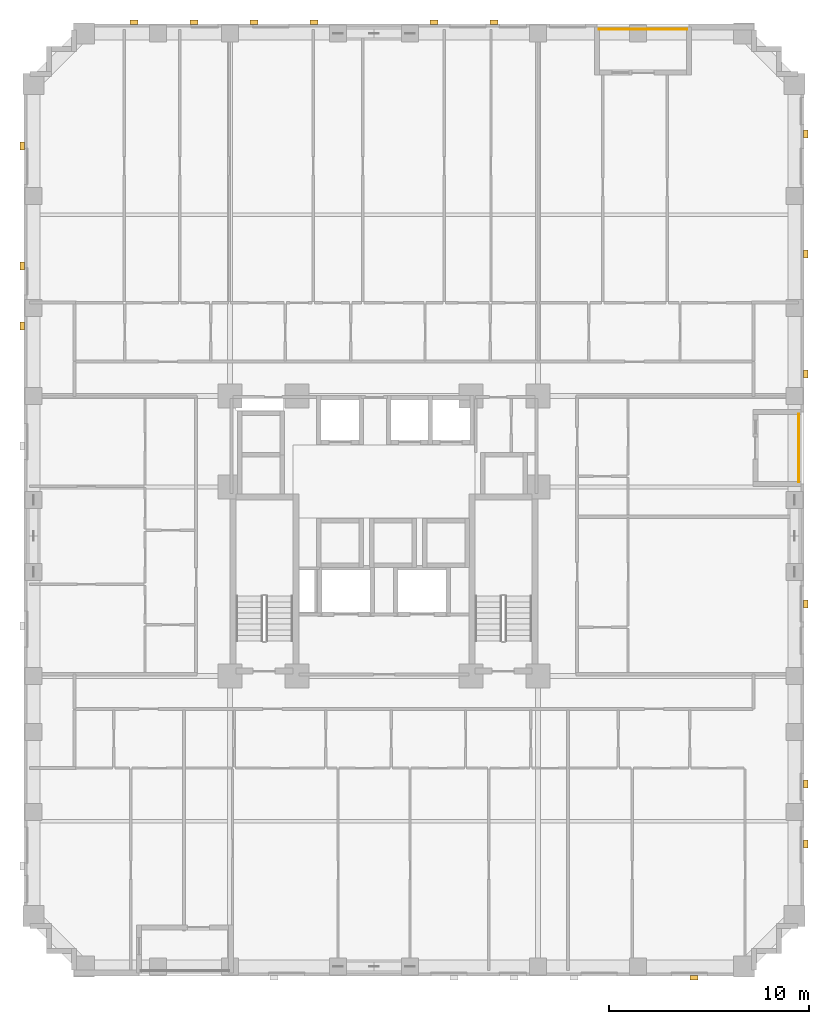
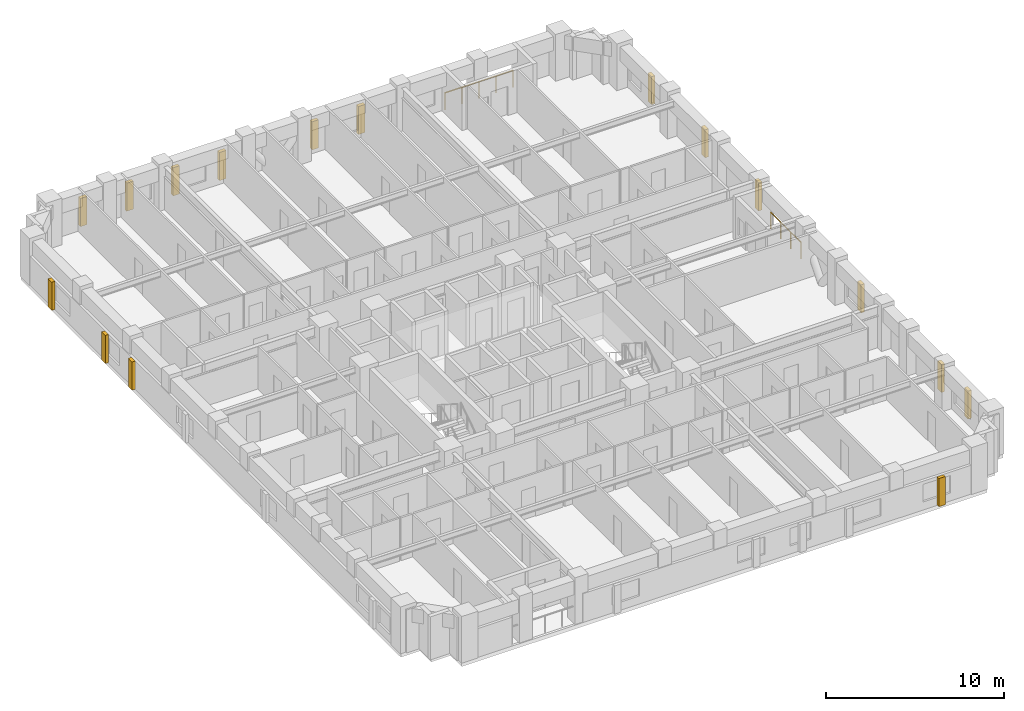
# One storey, part 14 of 14: 16 coverings, 2 railings.
"""IFC4 building model written with IfcOpenShell, lengths in metres."""

from ifc_helpers import new_model, si_unit, derived_unit, direction, frame, origin, origin_2d, place, context, subcontext, project, spatial, rectangle, circle, extrude, material, layer, layer_set, type_object, element, save


model = new_model("IFC4")

# Units and contexts
model_context = context("Model", 3, precision=1e-05, world=origin(), true_north=direction((0.0, 1.0)))
body_context = subcontext(model_context, "Body", "Model", "MODEL_VIEW")
ifc_project = project(units=[si_unit("LENGTHUNIT", "METRE"), si_unit("AREAUNIT", "SQUARE_METRE"), si_unit("VOLUMEUNIT", "CUBIC_METRE"), si_unit("PLANEANGLEUNIT", "RADIAN"), si_unit("MASSUNIT", "GRAM", prefix="KILO"), derived_unit("THERMALTRANSMITTANCEUNIT", [(si_unit("MASSUNIT", "GRAM", prefix="KILO"), 1), (si_unit("TIMEUNIT", "SECOND"), -3), (si_unit("THERMODYNAMICTEMPERATUREUNIT", "KELVIN"), -1)])], contexts=[model_context])

# Site, building, storey
site_placement = place(None, origin())
site = spatial("IfcSite", under=ifc_project, at=site_placement, CompositionType="ELEMENT")
building_placement = place(site_placement, origin())
building = spatial("IfcBuilding", under=site, at=building_placement, Name="Korrvale Station Residences", CompositionType="ELEMENT")
storey_placement = place(building_placement, frame((0.0, 0.0, 51.39990234375)))
storey = spatial("IfcBuildingStorey", under=building, at=storey_placement, Name="L13", CompositionType="ELEMENT", Elevation=51.39990234375)

# Coverings
ifc_material_1 = material(Name="Architectural precast concrete C45/55", Category="concrete")
ifc_layer = layer(ifc_material_1, 0.219970703125, Name="Architectural precast concrete C45/55")
ifc_layer_set = layer_set([ifc_layer], Name="Architectural precast concrete C45/55")
covering_type = type_object("IfcCoveringType", Name="COV-PIER-400", PredefinedType="CLADDING", material=ifc_layer_set)
for number, where, z_axis, x_axis, name in (
    (1, (41.0, -0.090087890625, 0.02490234375), (0.0, 0.0, 1.0), (1.0, 0.0, 0.0), "L13 Architectural Precast Facade Pier 01"),
    (2, (13.0, 47.68994140625, 0.02490234375), (0.0, 0.0, 1.0), (1.0, 0.0, 0.0), "L13 Architectural Precast Facade Pier 06"),
    (3, (16.0, 47.68994140625, 0.02490234375), (0.0, 0.0, 1.0), (1.0, 0.0, 0.0), "L13 Architectural Precast Facade Pier 07"),
    (4, (19.0, 47.68994140625, 0.02490234375), (0.0, 0.0, 1.0), (1.0, 0.0, 0.0), "L13 Architectural Precast Facade Pier 08"),
    (5, (22.0, 47.68994140625, 0.02490234375), (0.0, 0.0, 1.0), (1.0, 0.0, 0.0), "L13 Architectural Precast Facade Pier 09"),
    (6, (28.0, 47.68994140625, 0.02490234375), (0.0, 0.0, 1.0), (1.0, 0.0, 0.0), "L13 Architectural Precast Facade Pier 10"),
    (7, (31.0, 47.68994140625, 0.02490234375), (0.0, 0.0, 1.0), (1.0, 0.0, 0.0), "L13 Architectural Precast Facade Pier 11"),
    (8, (7.409912109375, 32.5, 0.02490234375), (0.0, 0.0, 1.0), (0.0, 1.0, 0.0), "L13 Architectural Precast Facade Pier 15"),
    (9, (7.409912109375, 35.5, 0.02490234375), (0.0, 0.0, 1.0), (0.0, 1.0, 0.0), "L13 Architectural Precast Facade Pier 16"),
    (10, (7.409912109375, 41.5, 0.02490234375), (0.0, 0.0, 1.0), (0.0, 1.0, 0.0), "L13 Architectural Precast Facade Pier 17"),
    (11, (46.590087890625, 42.10009765625, 0.02490234375), (0.0, 0.0, 1.0), (0.0, 1.0, 0.0), "L13 Architectural Precast Facade Pier 18"),
    (12, (46.590087890625, 36.10009765625, 0.02490234375), (0.0, 0.0, 1.0), (0.0, 1.0, 0.0), "L13 Architectural Precast Facade Pier 19"),
    (13, (46.590087890625, 30.10009765625, 0.02490234375), (0.0, 0.0, 1.0), (0.0, 1.0, 0.0), "L13 Architectural Precast Facade Pier 20"),
    (14, (46.590087890625, 18.60009765625, 0.02490234375), (0.0, 0.0, 1.0), (0.0, 1.0, 0.0), "L13 Architectural Precast Facade Pier 21"),
    (15, (46.590087890625, 9.60009765625, 0.02490234375), (0.0, 0.0, 1.0), (0.0, 1.0, 0.0), "L13 Architectural Precast Facade Pier 22"),
    (16, (46.590087890625, 6.60009765625, 0.02490234375), (0.0, 0.0, 1.0), (0.0, 1.0, 0.0), "L13 Architectural Precast Facade Pier 23"),
):
    element("IfcCovering", number, at=place(storey_placement, frame(where, z_axis=z_axis, x_axis=x_axis)), inside=storey, type_object=covering_type, Name=name, PredefinedType="CLADDING", context=body_context, shape_type="SweptSolid", body=[
        extrude(rectangle(XDim=0.419921875, YDim=0.219970703125, at=origin_2d()), origin(), (0.0, 0.0, 1.0), 1.925048828125),
    ])

# Railings
ifc_material_2 = material(Name="Powder-coated aluminium picket loggia guard", Category="aluminium")
railing_type = type_object("IfcRailingType", Name="RLG-BAL-1150", PredefinedType="GUARDRAIL", material=ifc_material_2)
railing_1_placement = place(storey_placement, frame((36.25, 47.330078125, 0.0)))
element("IfcRailing", 17, at=railing_1_placement, inside=storey, type_object=railing_type, Name="L13 Recessed Loggia Guardrail BAL-L13-N1", PredefinedType="GUARDRAIL", context=body_context, shape_type="SweptSolid", body=[
    extrude(circle(Radius=0.02392578125, at=origin_2d()), frame((0.0, 0.0, 1.1259765625), z_axis=(1.0, 0.0, 0.0), x_axis=(0.0, 1.0, 0.0)), (0.0, 0.0, 1.0), 4.39990234375),
    extrude(circle(Radius=0.02099609375, at=origin_2d()), origin(), (0.0, 0.0, 1.0), 1.101806640625),
    extrude(circle(Radius=0.02099609375, at=origin_2d()), frame((1.10009765625, 0.0, 0.0)), (0.0, 0.0, 1.0), 1.101806640625),
    extrude(circle(Radius=0.02099609375, at=origin_2d()), frame((2.199951171875, 0.0, 0.0)), (0.0, 0.0, 1.0), 1.101806640625),
    extrude(circle(Radius=0.02099609375, at=origin_2d()), frame((3.2998046875, 0.0, 0.0)), (0.0, 0.0, 1.0), 1.101806640625),
    extrude(circle(Radius=0.02099609375, at=origin_2d()), frame((4.39990234375, 0.0, 0.0)), (0.0, 0.0, 1.0), 1.101806640625),
])
railing_2_placement = place(storey_placement, frame((46.22998046875, 24.699951171875, 0.0)))
element("IfcRailing", 18, at=railing_2_placement, inside=storey, type_object=railing_type, Name="L13 Recessed Loggia Guardrail BAL-L13-E1", PredefinedType="GUARDRAIL", context=body_context, shape_type="SweptSolid", body=[
    extrude(circle(Radius=0.02392578125, at=origin_2d()), frame((0.0, 0.0, 1.1259765625), z_axis=(0.0, 1.0, 0.0), x_axis=(-1.0, 0.0, 0.0)), (0.0, 0.0, 1.0), 3.400146484375),
    extrude(circle(Radius=0.02099609375, at=origin_2d()), origin(), (0.0, 0.0, 1.0), 1.101806640625),
    extrude(circle(Radius=0.02099609375, at=origin_2d()), frame((0.0, 1.13330078125, 0.0)), (0.0, 0.0, 1.0), 1.101806640625),
    extrude(circle(Radius=0.02099609375, at=origin_2d()), frame((0.0, 2.266845703125, 0.0)), (0.0, 0.0, 1.0), 1.101806640625),
    extrude(circle(Radius=0.02099609375, at=origin_2d()), frame((0.0, 3.400146484375, 0.0)), (0.0, 0.0, 1.0), 1.101806640625),
])

save(model, "model.ifc")
